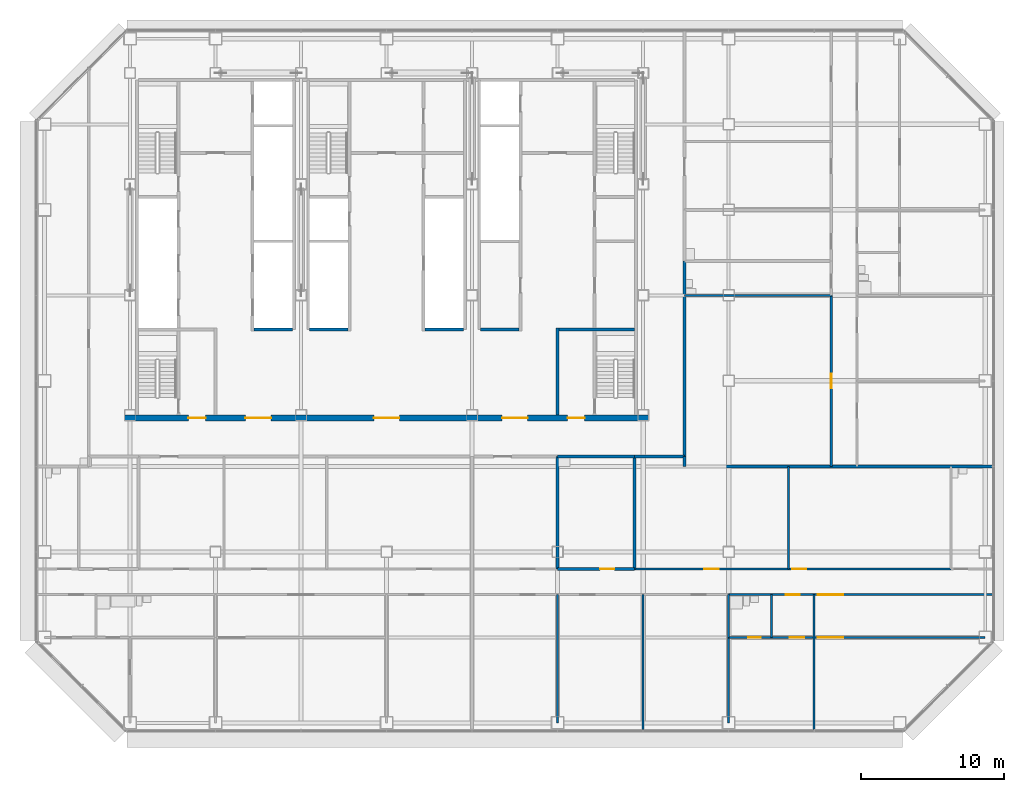
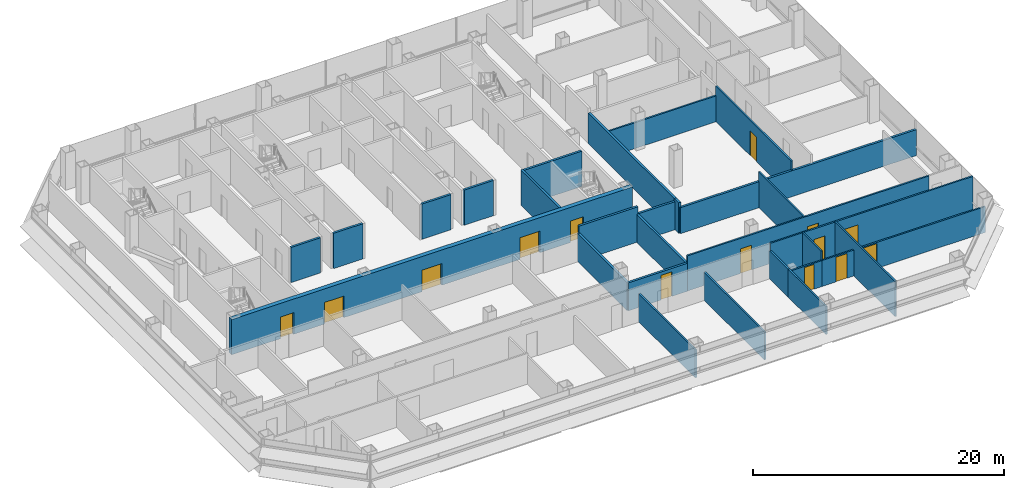
# One storey, part 21 of 27: 29 walls, 14 doors, 14 openings.
"""IFC4 building model written with IfcOpenShell, lengths in metres."""

from ifc_helpers import new_model, si_unit, direction, frame, frame_2d, origin, place, context, subcontext, project, spatial, rectangle, extrude, material, layer, layer_set, type_object, element, fill, save


model = new_model("IFC4")

# Units and contexts
model_context = context("Model", 3, precision=1e-05, world=origin(), true_north=direction((0.0, 1.0)))
body_context = subcontext(model_context, "Body", "Model", "MODEL_VIEW")
ifc_project = project(units=[si_unit("LENGTHUNIT", "METRE"), si_unit("AREAUNIT", "SQUARE_METRE"), si_unit("VOLUMEUNIT", "CUBIC_METRE"), si_unit("PLANEANGLEUNIT", "RADIAN"), si_unit("MASSUNIT", "GRAM", prefix="KILO")], contexts=[model_context])

# Site, building, storey
site_placement = place(None, origin())
site = spatial("IfcSite", under=ifc_project, at=site_placement, CompositionType="ELEMENT")
building_placement = place(site_placement, origin())
building = spatial("IfcBuilding", under=site, at=building_placement, Name="Sorahane Residences", CompositionType="ELEMENT")
storey_placement = place(building_placement, frame((0.0, 0.0, 75.0)))
storey = spatial("IfcBuildingStorey", under=building, at=storey_placement, Name="L15", CompositionType="ELEMENT", Elevation=75.0)

# Walls
ifc_material_1 = material(Name="Concrete blockwork C20 wall", Category="masonry")
ifc_layer_1 = layer(ifc_material_1, 0.199951171875)
ifc_layer_set_1 = layer_set([ifc_layer_1], Name="Corridor wall 200 EI 120")
wall_type_1 = type_object("IfcWallType", Name="Corridor wall 200 EI 120", PredefinedType="SOLIDWALL", material=ifc_layer_set_1)
wall_1_placement = place(storey_placement, frame((44.89990234375, 18.699951171875, 0.0), z_axis=(0.0, 0.0, 1.0), x_axis=(0.0, 1.0, 0.0)))
element("IfcWall", 1, at=wall_1_placement, inside=storey, type_object=wall_type_1, Name="L15 corridor wall", PredefinedType="SOLIDWALL", context=body_context, shape_type="SweptSolid", body=[
    extrude(rectangle(XDim=13.699951171875, YDim=0.199951171875, at=frame_2d((6.85009765625, 0.0))), origin(), (0.0, 0.0, 1.0), 2.969970703125),
])
wall_2_placement = place(storey_placement, frame((41.39990234375, 18.699951171875, 0.0), z_axis=(0.0, 0.0, 1.0), x_axis=(1.0, 0.0, 0.0)))
element("IfcWall", 2, at=wall_2_placement, inside=storey, type_object=wall_type_1, Name="L15 corridor wall", PredefinedType="SOLIDWALL", context=body_context, shape_type="SweptSolid", body=[
    extrude(rectangle(XDim=3.5, YDim=0.199951171875, at=frame_2d((1.75, 0.0))), origin(), (0.0, 0.0, 1.0), 2.719970703125),
])
ifc_material_2 = material(Name="Concrete C30", Category="concrete")
ifc_layer_2 = layer(ifc_material_2, 0.199951171875)
ifc_layer_set_2 = layer_set([ifc_layer_2], Name="Front room wall 200 EI 120")
wall_type_2 = type_object("IfcWallType", Name="Front room wall 200 EI 120", PredefinedType="PARTITIONING", material=ifc_layer_set_2)
wall_3_placement = place(storey_placement, frame((36.0, 21.60009765625, 0.0), z_axis=(0.0, 0.0, 1.0), x_axis=(0.0, 1.0, 0.0)))
element("IfcWall", 3, at=wall_3_placement, inside=storey, type_object=wall_type_2, Name="L15 front room wall", PredefinedType="PARTITIONING", context=body_context, shape_type="SweptSolid", body=[
    extrude(rectangle(XDim=6.099853515625, YDim=0.199951171875, at=frame_2d((3.0498046875, 0.0))), origin(), (0.0, 0.0, 1.0), 3.419921875),
])
ifc_material_3 = material(Name="Concrete blockwork C20 wall", Category="masonry")
ifc_layer_3 = layer(ifc_material_3, 0.199951171875)
ifc_layer_set_3 = layer_set([ifc_layer_3], Name="Kitchen wall 200 EI 180")
wall_type_3 = type_object("IfcWallType", Name="Kitchen wall 200 EI 180", PredefinedType="SOLIDWALL", material=ifc_layer_set_3)
for number, where, z_axis, x_axis, name in (
    (4, (36.0, 10.800048828125, 0.0), (0.0, 0.0, 1.0), (0.0, 1.0, 0.0), "L15 kitchen wall"),
    (5, (41.39990234375, 10.800048828125, 0.0), (0.0, 0.0, 1.0), (0.0, 1.0, 0.0), "L15 kitchen wall"),
):
    element("IfcWall", number, at=place(storey_placement, frame(where, z_axis=z_axis, x_axis=x_axis)), inside=storey, type_object=wall_type_3, Name=name, PredefinedType="SOLIDWALL", context=body_context, shape_type="SweptSolid", body=[
        extrude(rectangle(XDim=7.89990234375, YDim=0.199951171875, at=frame_2d((3.949951171875, 0.0))), origin(), (0.0, 0.0, 1.0), 2.719970703125),
    ])

# Wall, opening, door
wall_4_placement = place(storey_placement, frame((36.0, 10.800048828125, 0.0), z_axis=(0.0, 0.0, 1.0), x_axis=(1.0, 0.0, 0.0)))
wall_4 = element("IfcWall", 6, at=wall_4_placement, inside=storey, type_object=wall_type_3, Name="L15 kitchen wall", PredefinedType="SOLIDWALL", context=body_context, shape_type="SweptSolid", body=[
    extrude(rectangle(XDim=5.39990234375, YDim=0.199951171875, at=frame_2d((2.699951171875, 0.0))), origin(), (0.0, 0.0, 1.0), 2.719970703125),
])
opening_1_placement = place(wall_4_placement, frame((2.97998046875, 0.0, 0.0)))
opening_1 = element("IfcOpeningElement", 7, at=opening_1_placement, cuts=wall_4, Name="Opening L15-14", PredefinedType="OPENING", context=body_context, shape_type="SweptSolid", body=[
    extrude(rectangle(XDim=1.0, YDim=2.39990234375, at=frame_2d((0.5, 1.199951171875))), frame((0.0, 0.10986328125, 0.0), z_axis=(0.0, -1.0, 0.0), x_axis=(1.0, 0.0, 0.0)), (0.0, 0.0, 1.0), 0.219970703125),
])
ifc_material_4 = material(Name="Steel", Category="steel")
door_type_1 = type_object("IfcDoorType", Name="Kitchen door 1000x2400 FD120", OperationType="NOTDEFINED", PredefinedType="DOOR", material=ifc_material_4)
door_1_placement = place(opening_1_placement, origin())
door_1 = element("IfcDoor", 8, at=door_1_placement, inside=storey, type_object=door_type_1, Name="Kitchen door L15-14", OperationType="SINGLE_SWING_LEFT", OverallHeight=2.39990234375, OverallWidth=1.0, PredefinedType="DOOR", context=body_context, shape_type="SweptSolid", body=[
    extrude(rectangle(XDim=1.0, YDim=2.39990234375, at=frame_2d((0.5, 1.199951171875))), frame((0.0, 0.02490234375, 0.0), z_axis=(0.0, -1.0, 0.0), x_axis=(1.0, 0.0, 0.0)), (0.0, 0.0, 1.0), 0.050048828125),
])
fill(opening_1, door_1)

# Walls
wall_5_placement = place(storey_placement, frame((36.0, 18.699951171875, 0.0), z_axis=(0.0, 0.0, 1.0), x_axis=(1.0, 0.0, 0.0)))
element("IfcWall", 9, at=wall_5_placement, inside=storey, type_object=wall_type_3, Name="L15 kitchen wall", PredefinedType="SOLIDWALL", context=body_context, shape_type="SweptSolid", body=[
    extrude(rectangle(XDim=5.39990234375, YDim=0.199951171875, at=frame_2d((2.699951171875, 0.0))), origin(), (0.0, 0.0, 1.0), 3.419921875),
])
ifc_material_5 = material(Name="Concrete C30", Category="concrete")
ifc_layer_4 = layer(ifc_material_5, 0.199951171875)
ifc_layer_set_4 = layer_set([ifc_layer_4], Name="Lift shaft wall 200 EI 120")
wall_type_4 = type_object("IfcWallType", Name="Lift shaft wall 200 EI 120", PredefinedType="SOLIDWALL", material=ifc_layer_set_4)
for number, where, z_axis, x_axis, name in (
    (10, (14.699951171875, 27.60009765625, 0.0), (0.0, 0.0, 1.0), (1.0, 0.0, 0.0), "L15 lift shaft wall"),
    (11, (18.60009765625, 27.60009765625, 0.0), (0.0, 0.0, 1.0), (1.0, 0.0, 0.0), "L15 lift shaft wall"),
):
    element("IfcWall", number, at=place(storey_placement, frame(where, z_axis=z_axis, x_axis=x_axis)), inside=storey, type_object=wall_type_4, Name=name, PredefinedType="SOLIDWALL", context=body_context, shape_type="SweptSolid", body=[
        extrude(rectangle(XDim=2.699951171875, YDim=0.199951171875, at=frame_2d((1.35009765625, 0.0))), origin(), (0.0, 0.0, 1.0), 3.419921875),
    ])
ifc_material_6 = material(Name="Gypsum board partition on steel studs", Category="steel")
ifc_layer_5 = layer(ifc_material_6, 0.14990234375)
ifc_layer_set_5 = layer_set([ifc_layer_5], Name="Partition 150 EI 90")
wall_type_5 = type_object("IfcWallType", Name="Partition 150 EI 90", PredefinedType="PARTITIONING", material=ifc_layer_set_5)
wall_6_placement = place(storey_placement, frame((36.0, 0.0, 0.0), z_axis=(0.0, 0.0, 1.0), x_axis=(0.0, 1.0, 0.0)))
element("IfcWall", 12, at=wall_6_placement, inside=storey, type_object=wall_type_5, Name="L15 partition", PredefinedType="PARTITIONING", context=body_context, shape_type="SweptSolid", body=[
    extrude(rectangle(XDim=9.0, YDim=0.14990234375, at=frame_2d((4.5, 0.0))), origin(), (0.0, 0.0, 1.0), 2.719970703125),
])
wall_7_placement = place(storey_placement, frame((42.0, -0.60009765625, 0.0), z_axis=(0.0, 0.0, 1.0), x_axis=(0.0, 1.0, 0.0)))
element("IfcWall", 13, at=wall_7_placement, inside=storey, type_object=wall_type_5, Name="L15 partition", PredefinedType="PARTITIONING", context=body_context, shape_type="SweptSolid", body=[
    extrude(rectangle(XDim=9.60009765625, YDim=0.14990234375, at=frame_2d((4.800048828125, 0.0))), origin(), (0.0, 0.0, 1.0), 2.719970703125),
])
wall_8_placement = place(storey_placement, frame((48.0, 0.0, 0.0), z_axis=(0.0, 0.0, 1.0), x_axis=(0.0, 1.0, 0.0)))
element("IfcWall", 14, at=wall_8_placement, inside=storey, type_object=wall_type_5, Name="L15 partition", PredefinedType="PARTITIONING", context=body_context, shape_type="SweptSolid", body=[
    extrude(rectangle(XDim=6.0, YDim=0.14990234375, at=frame_2d((3.0, 0.0))), origin(), (0.0, 0.0, 1.0), 2.719970703125),
])
wall_9_placement = place(storey_placement, frame((52.199951171875, 10.800048828125, 0.0), z_axis=(0.0, 0.0, 1.0), x_axis=(0.0, 1.0, 0.0)))
element("IfcWall", 15, at=wall_9_placement, inside=storey, type_object=wall_type_5, Name="L15 partition", PredefinedType="PARTITIONING", context=body_context, shape_type="SweptSolid", body=[
    extrude(rectangle(XDim=7.199951171875, YDim=0.14990234375, at=frame_2d((3.60009765625, 0.0))), origin(), (0.0, 0.0, 1.0), 3.419921875),
])
wall_10_placement = place(storey_placement, frame((54.0, -0.60009765625, 0.0), z_axis=(0.0, 0.0, 1.0), x_axis=(0.0, 1.0, 0.0)))
element("IfcWall", 16, at=wall_10_placement, inside=storey, type_object=wall_type_5, Name="L15 partition", PredefinedType="PARTITIONING", context=body_context, shape_type="SweptSolid", body=[
    extrude(rectangle(XDim=9.60009765625, YDim=0.14990234375, at=frame_2d((4.800048828125, 0.0))), origin(), (0.0, 0.0, 1.0), 3.419921875),
])

# Wall, opening, door
wall_11_placement = place(storey_placement, frame((55.199951171875, 18.0, 0.0), z_axis=(0.0, 0.0, 1.0), x_axis=(0.0, 1.0, 0.0)))
wall_11 = element("IfcWall", 17, at=wall_11_placement, inside=storey, type_object=wall_type_5, Name="L15 partition", PredefinedType="PARTITIONING", context=body_context, shape_type="SweptSolid", body=[
    extrude(rectangle(XDim=12.0, YDim=0.14990234375, at=frame_2d((6.0, 0.0))), origin(), (0.0, 0.0, 1.0), 3.419921875),
])
opening_2_placement = place(wall_11_placement, frame((5.5, 0.0, 0.0)))
opening_2 = element("IfcOpeningElement", 18, at=opening_2_placement, cuts=wall_11, Name="Opening L15-27", PredefinedType="OPENING", context=body_context, shape_type="SweptSolid", body=[
    extrude(rectangle(XDim=1.0, YDim=2.39990234375, at=frame_2d((0.5, 1.199951171875))), frame((0.0, 0.0849609375, 0.0), z_axis=(0.0, -1.0, 0.0), x_axis=(1.0, 0.0, 0.0)), (0.0, 0.0, 1.0), 0.169921875),
])
ifc_material_7 = material(Name="Timber veneered fire door", Category="wood")
door_type_2 = type_object("IfcDoorType", Name="Room door 1000x2400 FD30", OperationType="NOTDEFINED", PredefinedType="DOOR", material=ifc_material_7)
door_2_placement = place(opening_2_placement, origin())
door_2 = element("IfcDoor", 19, at=door_2_placement, inside=storey, type_object=door_type_2, Name="Room door L15-27", OperationType="SINGLE_SWING_LEFT", OverallHeight=2.39990234375, OverallWidth=1.0, PredefinedType="DOOR", context=body_context, shape_type="SweptSolid", body=[
    extrude(rectangle(XDim=1.0, YDim=2.39990234375, at=frame_2d((0.5, 1.199951171875))), frame((0.0, 0.02490234375, 0.0), z_axis=(0.0, -1.0, 0.0), x_axis=(1.0, 0.0, 0.0)), (0.0, 0.0, 1.0), 0.050048828125),
])
fill(opening_2, door_2)

# Wall, openings, doors
wall_12_placement = place(storey_placement, frame((41.39990234375, 10.800048828125, 0.0), z_axis=(0.0, 0.0, 1.0), x_axis=(1.0, 0.0, 0.0)))
wall_12 = element("IfcWall", 20, at=wall_12_placement, inside=storey, type_object=wall_type_5, Name="L15 partition", PredefinedType="PARTITIONING", context=body_context, shape_type="SweptSolid", body=[
    extrude(rectangle(XDim=22.2001953125, YDim=0.14990234375, at=frame_2d((11.10009765625, 0.0))), origin(), (0.0, 0.0, 1.0), 3.419921875),
])
opening_3_placement = place(wall_12_placement, frame((4.89990234375, 0.0, 0.0)))
opening_3 = element("IfcOpeningElement", 21, at=opening_3_placement, cuts=wall_12, Name="Opening L15-15", PredefinedType="OPENING", context=body_context, shape_type="SweptSolid", body=[
    extrude(rectangle(XDim=1.0, YDim=2.39990234375, at=frame_2d((0.5, 1.199951171875))), frame((0.0, 0.0849609375, 0.0), z_axis=(0.0, -1.0, 0.0), x_axis=(1.0, 0.0, 0.0)), (0.0, 0.0, 1.0), 0.169921875),
])
opening_4_placement = place(wall_12_placement, frame((11.050048828125, 0.0, 0.0)))
opening_4 = element("IfcOpeningElement", 22, at=opening_4_placement, cuts=wall_12, Name="Opening L15-16", PredefinedType="OPENING", context=body_context, shape_type="SweptSolid", body=[
    extrude(rectangle(XDim=1.0, YDim=2.39990234375, at=frame_2d((0.5, 1.199951171875))), frame((0.0, 0.0849609375, 0.0), z_axis=(0.0, -1.0, 0.0), x_axis=(1.0, 0.0, 0.0)), (0.0, 0.0, 1.0), 0.169921875),
])
door_3_placement = place(opening_3_placement, origin())
door_3 = element("IfcDoor", 23, at=door_3_placement, inside=storey, type_object=door_type_2, Name="Room door L15-15", OperationType="SINGLE_SWING_LEFT", OverallHeight=2.39990234375, OverallWidth=1.0, PredefinedType="DOOR", context=body_context, shape_type="SweptSolid", body=[
    extrude(rectangle(XDim=1.0, YDim=2.39990234375, at=frame_2d((0.5, 1.199951171875))), frame((0.0, 0.02490234375, 0.0), z_axis=(0.0, -1.0, 0.0), x_axis=(1.0, 0.0, 0.0)), (0.0, 0.0, 1.0), 0.050048828125),
])
fill(opening_3, door_3)
door_4_placement = place(opening_4_placement, origin())
door_4 = element("IfcDoor", 24, at=door_4_placement, inside=storey, type_object=door_type_2, Name="Room door L15-16", OperationType="SINGLE_SWING_LEFT", OverallHeight=2.39990234375, OverallWidth=1.0, PredefinedType="DOOR", context=body_context, shape_type="SweptSolid", body=[
    extrude(rectangle(XDim=1.0, YDim=2.39990234375, at=frame_2d((0.5, 1.199951171875))), frame((0.0, 0.02490234375, 0.0), z_axis=(0.0, -1.0, 0.0), x_axis=(1.0, 0.0, 0.0)), (0.0, 0.0, 1.0), 0.050048828125),
])
fill(opening_4, door_4)

wall_13_placement = place(storey_placement, frame((51.0, 6.0, 0.0), z_axis=(0.0, 0.0, 1.0), x_axis=(1.0, 0.0, 0.0)))
wall_13 = element("IfcWall", 25, at=wall_13_placement, inside=storey, type_object=wall_type_5, Name="L15 partition", PredefinedType="PARTITIONING", context=body_context, shape_type="SweptSolid", body=[
    extrude(rectangle(XDim=15.0, YDim=0.14990234375, at=frame_2d((7.5, 0.0))), origin(), (0.0, 0.0, 1.0), 2.52001953125),
])
opening_5_placement = place(wall_13_placement, frame((1.300048828125, 0.0, 0.0)))
opening_5 = element("IfcOpeningElement", 26, at=opening_5_placement, cuts=wall_13, Name="Opening L15-23", PredefinedType="OPENING", context=body_context, shape_type="SweptSolid", body=[
    extrude(rectangle(XDim=1.0, YDim=2.39990234375, at=frame_2d((0.5, 1.199951171875))), frame((0.0, 0.0849609375, 0.0), z_axis=(0.0, -1.0, 0.0), x_axis=(1.0, 0.0, 0.0)), (0.0, 0.0, 1.0), 0.169921875),
])
opening_6_placement = place(wall_13_placement, frame((3.25, 0.0, 0.0)))
opening_6 = element("IfcOpeningElement", 27, at=opening_6_placement, cuts=wall_13, Name="Opening L15-25", PredefinedType="OPENING", context=body_context, shape_type="SweptSolid", body=[
    extrude(rectangle(XDim=1.800048828125, YDim=2.39990234375, at=frame_2d((0.89990234375, 1.199951171875))), frame((0.0, 0.0849609375, 0.0), z_axis=(0.0, -1.0, 0.0), x_axis=(1.0, 0.0, 0.0)), (0.0, 0.0, 1.0), 0.169921875),
])
ifc_material_8 = material(Name="Timber veneered fire door", Category="wood")
door_type_3 = type_object("IfcDoorType", Name="Double door 1800x2400 FD30", OperationType="NOTDEFINED", PredefinedType="DOOR", material=ifc_material_8)
door_5_placement = place(opening_6_placement, frame((1.800048828125, 0.0, 0.0), z_axis=(0.0, 0.0, 1.0), x_axis=(-1.0, 0.0, 0.0)))
door_5 = element("IfcDoor", 28, at=door_5_placement, inside=storey, type_object=door_type_3, Name="Double door L15-25", OperationType="SINGLE_SWING_LEFT", OverallHeight=2.39990234375, OverallWidth=1.800048828125, PredefinedType="DOOR", context=body_context, shape_type="SweptSolid", body=[
    extrude(rectangle(XDim=1.800048828125, YDim=2.39990234375, at=frame_2d((0.89990234375, 1.199951171875))), frame((0.0, 0.02490234375, 0.0), z_axis=(0.0, -1.0, 0.0), x_axis=(1.0, 0.0, 0.0)), (0.0, 0.0, 1.0), 0.050048828125),
])
fill(opening_6, door_5)
door_6_placement = place(opening_5_placement, frame((1.0, 0.0, 0.0), z_axis=(0.0, 0.0, 1.0), x_axis=(-1.0, 0.0, 0.0)))
door_6 = element("IfcDoor", 29, at=door_6_placement, inside=storey, type_object=door_type_2, Name="Room door L15-23", OperationType="SINGLE_SWING_RIGHT", OverallHeight=2.39990234375, OverallWidth=1.0, PredefinedType="DOOR", context=body_context, shape_type="SweptSolid", body=[
    extrude(rectangle(XDim=1.0, YDim=2.39990234375, at=frame_2d((0.5, 1.199951171875))), frame((0.0, 0.02490234375, 0.0), z_axis=(0.0, -1.0, 0.0), x_axis=(1.0, 0.0, 0.0)), (0.0, 0.0, 1.0), 0.050048828125),
])
fill(opening_5, door_6)

wall_14_placement = place(storey_placement, frame((51.0, 9.0, 0.0), z_axis=(0.0, 0.0, 1.0), x_axis=(1.0, 0.0, 0.0)))
wall_14 = element("IfcWall", 30, at=wall_14_placement, inside=storey, type_object=wall_type_5, Name="L15 partition", PredefinedType="PARTITIONING", context=body_context, shape_type="SweptSolid", body=[
    extrude(rectangle(XDim=15.60009765625, YDim=0.14990234375, at=frame_2d((7.800048828125, 0.0))), origin(), (0.0, 0.0, 1.0), 3.419921875),
])
opening_7_placement = place(wall_14_placement, frame((1.0, 0.0, 0.0)))
opening_7 = element("IfcOpeningElement", 31, at=opening_7_placement, cuts=wall_14, Name="Opening L15-21", PredefinedType="OPENING", context=body_context, shape_type="SweptSolid", body=[
    extrude(rectangle(XDim=1.0, YDim=2.39990234375, at=frame_2d((0.5, 1.199951171875))), frame((0.0, 0.0849609375, 0.0), z_axis=(0.0, -1.0, 0.0), x_axis=(1.0, 0.0, 0.0)), (0.0, 0.0, 1.0), 0.169921875),
])
opening_8_placement = place(wall_14_placement, frame((3.25, 0.0, 0.0)))
opening_8 = element("IfcOpeningElement", 32, at=opening_8_placement, cuts=wall_14, Name="Opening L15-22", PredefinedType="OPENING", context=body_context, shape_type="SweptSolid", body=[
    extrude(rectangle(XDim=1.800048828125, YDim=2.39990234375, at=frame_2d((0.89990234375, 1.199951171875))), frame((0.0, 0.0849609375, 0.0), z_axis=(0.0, -1.0, 0.0), x_axis=(1.0, 0.0, 0.0)), (0.0, 0.0, 1.0), 0.169921875),
])
door_7_placement = place(opening_8_placement, frame((1.800048828125, 0.0, 0.0), z_axis=(0.0, 0.0, 1.0), x_axis=(-1.0, 0.0, 0.0)))
door_7 = element("IfcDoor", 33, at=door_7_placement, inside=storey, type_object=door_type_3, Name="Double door L15-22", OperationType="SINGLE_SWING_LEFT", OverallHeight=2.39990234375, OverallWidth=1.800048828125, PredefinedType="DOOR", context=body_context, shape_type="SweptSolid", body=[
    extrude(rectangle(XDim=1.800048828125, YDim=2.39990234375, at=frame_2d((0.89990234375, 1.199951171875))), frame((0.0, 0.02490234375, 0.0), z_axis=(0.0, -1.0, 0.0), x_axis=(1.0, 0.0, 0.0)), (0.0, 0.0, 1.0), 0.050048828125),
])
fill(opening_8, door_7)
door_8_placement = place(opening_7_placement, frame((1.0, 0.0, 0.0), z_axis=(0.0, 0.0, 1.0), x_axis=(-1.0, 0.0, 0.0)))
door_8 = element("IfcDoor", 34, at=door_8_placement, inside=storey, type_object=door_type_2, Name="Room door L15-21", OperationType="SINGLE_SWING_LEFT", OverallHeight=2.39990234375, OverallWidth=1.0, PredefinedType="DOOR", context=body_context, shape_type="SweptSolid", body=[
    extrude(rectangle(XDim=1.0, YDim=2.39990234375, at=frame_2d((0.5, 1.199951171875))), frame((0.0, 0.02490234375, 0.0), z_axis=(0.0, -1.0, 0.0), x_axis=(1.0, 0.0, 0.0)), (0.0, 0.0, 1.0), 0.050048828125),
])
fill(opening_7, door_8)

# Walls
ifc_material_9 = material(Name="Concrete blockwork C20 wall", Category="masonry")
ifc_layer_6 = layer(ifc_material_9, 0.199951171875)
ifc_layer_set_6 = layer_set([ifc_layer_6], Name="Party wall 200 EI 120")
wall_type_6 = type_object("IfcWallType", Name="Party wall 200 EI 120", PredefinedType="SOLIDWALL", material=ifc_layer_set_6)
wall_15_placement = place(storey_placement, frame((44.89990234375, 18.0, 0.0), z_axis=(0.0, 0.0, 1.0), x_axis=(0.0, 1.0, 0.0)))
element("IfcWall", 35, at=wall_15_placement, inside=storey, type_object=wall_type_6, Name="L15 party wall", PredefinedType="SOLIDWALL", context=body_context, shape_type="SweptSolid", body=[
    extrude(rectangle(XDim=0.699951171875, YDim=0.199951171875, at=frame_2d((0.35009765625, 0.0))), origin(), (0.0, 0.0, 1.0), 2.969970703125),
])
wall_16_placement = place(storey_placement, frame((44.89990234375, 18.0, 0.0), z_axis=(0.0, 0.0, 1.0), x_axis=(1.0, 0.0, 0.0)))
element("IfcWall", 36, at=wall_16_placement, inside=storey, type_object=wall_type_6, Name="L15 party wall", PredefinedType="SOLIDWALL", context=body_context, shape_type="SweptSolid", body=[
    extrude(rectangle(XDim=21.7001953125, YDim=0.199951171875, at=frame_2d((10.85009765625, 0.0))), origin(), (0.0, 0.0, 1.0), 2.52001953125),
])
ifc_material_10 = material(Name="Concrete C30", Category="concrete")
ifc_layer_7 = layer(ifc_material_10, 0.199951171875)
ifc_layer_set_7 = layer_set([ifc_layer_7], Name="Riser shaft wall 200 EI 120")
wall_type_7 = type_object("IfcWallType", Name="Riser shaft wall 200 EI 120", PredefinedType="SOLIDWALL", material=ifc_layer_set_7)
wall_17_placement = place(storey_placement, frame((26.699951171875, 27.60009765625, 0.0), z_axis=(0.0, 0.0, 1.0), x_axis=(1.0, 0.0, 0.0)))
element("IfcWall", 37, at=wall_17_placement, inside=storey, type_object=wall_type_7, Name="L15 riser wall", PredefinedType="SOLIDWALL", context=body_context, shape_type="SweptSolid", body=[
    extrude(rectangle(XDim=2.699951171875, YDim=0.199951171875, at=frame_2d((1.35009765625, 0.0))), origin(), (0.0, 0.0, 1.0), 3.419921875),
])
ifc_material_11 = material(Name="Concrete C30", Category="concrete")
ifc_layer_8 = layer(ifc_material_11, 0.199951171875)
ifc_layer_set_8 = layer_set([ifc_layer_8], Name="Service room partition 200 EI 60")
wall_type_8 = type_object("IfcWallType", Name="Service room partition 200 EI 60", PredefinedType="PARTITIONING", material=ifc_layer_set_8)
wall_18_placement = place(storey_placement, frame((30.60009765625, 27.60009765625, 0.0), z_axis=(0.0, 0.0, 1.0), x_axis=(1.0, 0.0, 0.0)))
element("IfcWall", 38, at=wall_18_placement, inside=storey, type_object=wall_type_8, Name="L15 service room wall", PredefinedType="PARTITIONING", context=body_context, shape_type="SweptSolid", body=[
    extrude(rectangle(XDim=2.699951171875, YDim=0.199951171875, at=frame_2d((1.35009765625, 0.0))), origin(), (0.0, 0.0, 1.0), 3.419921875),
])
ifc_material_12 = material(Name="Concrete C30", Category="concrete")
ifc_layer_9 = layer(ifc_material_12, 0.199951171875)
ifc_layer_set_9 = layer_set([ifc_layer_9], Name="Stair enclosure wall 200 EI 120")
wall_type_9 = type_object("IfcWallType", Name="Stair enclosure wall 200 EI 120", PredefinedType="SOLIDWALL", material=ifc_layer_set_9)
wall_19_placement = place(storey_placement, frame((36.10009765625, 27.60009765625, 0.0), z_axis=(0.0, 0.0, 1.0), x_axis=(1.0, 0.0, 0.0)))
element("IfcWall", 39, at=wall_19_placement, inside=storey, type_object=wall_type_9, Name="L15 stair enclosure wall", PredefinedType="SOLIDWALL", context=body_context, shape_type="SweptSolid", body=[
    extrude(rectangle(XDim=5.2998046875, YDim=0.199951171875, at=frame_2d((2.64990234375, 0.0))), origin(), (0.0, 0.0, 1.0), 3.419921875),
])

# Wall, openings, doors
ifc_material_13 = material(Name="Concrete C30", Category="concrete")
ifc_layer_10 = layer(ifc_material_13, 0.39990234375)
ifc_layer_set_10 = layer_set([ifc_layer_10], Name="Waiting hall wall 400 EI 120")
wall_type_10 = type_object("IfcWallType", Name="Waiting hall wall 400 EI 120", PredefinedType="SOLIDWALL", material=ifc_layer_set_10)
wall_20_placement = place(storey_placement, frame((5.60009765625, 21.39990234375, 0.0), z_axis=(0.0, 0.0, 1.0), x_axis=(1.0, 0.0, 0.0)))
wall_20 = element("IfcWall", 40, at=wall_20_placement, inside=storey, type_object=wall_type_10, Name="L15 waiting hall wall", PredefinedType="SOLIDWALL", context=body_context, shape_type="SweptSolid", body=[
    extrude(rectangle(XDim=36.7998046875, YDim=0.39990234375, at=frame_2d((18.39990234375, 0.0))), origin(), (0.0, 0.0, 1.0), 3.419921875),
])
opening_9_placement = place(wall_20_placement, frame((8.5, 0.0, 0.0)))
opening_9 = element("IfcOpeningElement", 41, at=opening_9_placement, cuts=wall_20, Name="Opening L15-C01", PredefinedType="OPENING", context=body_context, shape_type="SweptSolid", body=[
    extrude(rectangle(XDim=1.800048828125, YDim=2.10009765625, at=frame_2d((0.89990234375, 1.050048828125))), frame((0.0, 0.2099609375, 0.0), z_axis=(0.0, -1.0, 0.0), x_axis=(1.0, 0.0, 0.0)), (0.0, 0.0, 1.0), 0.419921875),
])
opening_10_placement = place(wall_20_placement, frame((17.5, 0.0, 0.0)))
opening_10 = element("IfcOpeningElement", 42, at=opening_10_placement, cuts=wall_20, Name="Opening L15-C02", PredefinedType="OPENING", context=body_context, shape_type="SweptSolid", body=[
    extrude(rectangle(XDim=1.800048828125, YDim=2.10009765625, at=frame_2d((0.89990234375, 1.050048828125))), frame((0.0, 0.2099609375, 0.0), z_axis=(0.0, -1.0, 0.0), x_axis=(1.0, 0.0, 0.0)), (0.0, 0.0, 1.0), 0.419921875),
])
opening_11_placement = place(wall_20_placement, frame((26.5, 0.0, 0.0)))
opening_11 = element("IfcOpeningElement", 43, at=opening_11_placement, cuts=wall_20, Name="Opening L15-C03", PredefinedType="OPENING", context=body_context, shape_type="SweptSolid", body=[
    extrude(rectangle(XDim=1.800048828125, YDim=2.10009765625, at=frame_2d((0.89990234375, 1.050048828125))), frame((0.0, 0.2099609375, 0.0), z_axis=(0.0, -1.0, 0.0), x_axis=(1.0, 0.0, 0.0)), (0.0, 0.0, 1.0), 0.419921875),
])
opening_12_placement = place(wall_20_placement, frame((4.5, 0.0, 0.0)))
opening_12 = element("IfcOpeningElement", 44, at=opening_12_placement, cuts=wall_20, Name="Opening L15-C04", PredefinedType="OPENING", context=body_context, shape_type="SweptSolid", body=[
    extrude(rectangle(XDim=1.199951171875, YDim=2.10009765625, at=frame_2d((0.60009765625, 1.050048828125))), frame((0.0, 0.2099609375, 0.0), z_axis=(0.0, -1.0, 0.0), x_axis=(1.0, 0.0, 0.0)), (0.0, 0.0, 1.0), 0.419921875),
])
opening_13_placement = place(wall_20_placement, frame((31.10009765625, 0.0, 0.0)))
opening_13 = element("IfcOpeningElement", 45, at=opening_13_placement, cuts=wall_20, Name="Opening L15-C05", PredefinedType="OPENING", context=body_context, shape_type="SweptSolid", body=[
    extrude(rectangle(XDim=1.199951171875, YDim=2.10009765625, at=frame_2d((0.60009765625, 1.050048828125))), frame((0.0, 0.2099609375, 0.0), z_axis=(0.0, -1.0, 0.0), x_axis=(1.0, 0.0, 0.0)), (0.0, 0.0, 1.0), 0.419921875),
])
ifc_material_14 = material(Name="Steel", Category="steel")
door_type_4 = type_object("IfcDoorType", Name="Stair front room door 1200x2100 FD120", OperationType="NOTDEFINED", PredefinedType="DOOR", material=ifc_material_14)
door_9_placement = place(opening_12_placement, frame((1.199951171875, 0.0, 0.0), z_axis=(0.0, 0.0, 1.0), x_axis=(-1.0, 0.0, 0.0)))
door_9 = element("IfcDoor", 46, at=door_9_placement, inside=storey, type_object=door_type_4, Name="Stair front room door Stair S4 front room L15", OperationType="SINGLE_SWING_LEFT", OverallHeight=2.10009765625, OverallWidth=1.199951171875, PredefinedType="DOOR", context=body_context, shape_type="SweptSolid", body=[
    extrude(rectangle(XDim=1.199951171875, YDim=2.10009765625, at=frame_2d((0.60009765625, 1.050048828125))), frame((0.0, 0.02490234375, 0.0), z_axis=(0.0, -1.0, 0.0), x_axis=(1.0, 0.0, 0.0)), (0.0, 0.0, 1.0), 0.050048828125),
])
fill(opening_12, door_9)
door_10_placement = place(opening_13_placement, frame((1.199951171875, 0.0, 0.0), z_axis=(0.0, 0.0, 1.0), x_axis=(-1.0, 0.0, 0.0)))
door_10 = element("IfcDoor", 47, at=door_10_placement, inside=storey, type_object=door_type_4, Name="Stair front room door Stair S5 front room L15", OperationType="SINGLE_SWING_LEFT", OverallHeight=2.10009765625, OverallWidth=1.199951171875, PredefinedType="DOOR", context=body_context, shape_type="SweptSolid", body=[
    extrude(rectangle(XDim=1.199951171875, YDim=2.10009765625, at=frame_2d((0.60009765625, 1.050048828125))), frame((0.0, 0.02490234375, 0.0), z_axis=(0.0, -1.0, 0.0), x_axis=(1.0, 0.0, 0.0)), (0.0, 0.0, 1.0), 0.050048828125),
])
fill(opening_13, door_10)
ifc_material_15 = material(Name="Steel", Category="steel")
door_type_5 = type_object("IfcDoorType", Name="Waiting hall door 1800x2100 FD60", OperationType="NOTDEFINED", PredefinedType="DOOR", material=ifc_material_15)
door_11_placement = place(opening_9_placement, frame((1.800048828125, 0.0, 0.0), z_axis=(0.0, 0.0, 1.0), x_axis=(-1.0, 0.0, 0.0)))
door_11 = element("IfcDoor", 48, at=door_11_placement, inside=storey, type_object=door_type_5, Name="Waiting hall door Residents' waiting hall L15", OperationType="SINGLE_SWING_LEFT", OverallHeight=2.10009765625, OverallWidth=1.800048828125, PredefinedType="DOOR", context=body_context, shape_type="SweptSolid", body=[
    extrude(rectangle(XDim=1.800048828125, YDim=2.10009765625, at=frame_2d((0.89990234375, 1.050048828125))), frame((0.0, 0.02490234375, 0.0), z_axis=(0.0, -1.0, 0.0), x_axis=(1.0, 0.0, 0.0)), (0.0, 0.0, 1.0), 0.050048828125),
])
fill(opening_9, door_11)
door_12_placement = place(opening_10_placement, frame((1.800048828125, 0.0, 0.0), z_axis=(0.0, 0.0, 1.0), x_axis=(-1.0, 0.0, 0.0)))
door_12 = element("IfcDoor", 49, at=door_12_placement, inside=storey, type_object=door_type_5, Name="Waiting hall door Residents' waiting hall L15", OperationType="SINGLE_SWING_LEFT", OverallHeight=2.10009765625, OverallWidth=1.800048828125, PredefinedType="DOOR", context=body_context, shape_type="SweptSolid", body=[
    extrude(rectangle(XDim=1.800048828125, YDim=2.10009765625, at=frame_2d((0.89990234375, 1.050048828125))), frame((0.0, 0.02490234375, 0.0), z_axis=(0.0, -1.0, 0.0), x_axis=(1.0, 0.0, 0.0)), (0.0, 0.0, 1.0), 0.050048828125),
])
fill(opening_10, door_12)
door_13_placement = place(opening_11_placement, frame((1.800048828125, 0.0, 0.0), z_axis=(0.0, 0.0, 1.0), x_axis=(-1.0, 0.0, 0.0)))
door_13 = element("IfcDoor", 50, at=door_13_placement, inside=storey, type_object=door_type_5, Name="Waiting hall door Residents' waiting hall L15", OperationType="SINGLE_SWING_LEFT", OverallHeight=2.10009765625, OverallWidth=1.800048828125, PredefinedType="DOOR", context=body_context, shape_type="SweptSolid", body=[
    extrude(rectangle(XDim=1.800048828125, YDim=2.10009765625, at=frame_2d((0.89990234375, 1.050048828125))), frame((0.0, 0.02490234375, 0.0), z_axis=(0.0, -1.0, 0.0), x_axis=(1.0, 0.0, 0.0)), (0.0, 0.0, 1.0), 0.050048828125),
])
fill(opening_11, door_13)

# Walls
ifc_material_16 = material(Name="Gypsum board partition on steel studs", Category="steel")
ifc_layer_11 = layer(ifc_material_16, 0.14990234375)
ifc_layer_set_11 = layer_set([ifc_layer_11], Name="Wet wall 150 EI 90")
wall_type_11 = type_object("IfcWallType", Name="Wet wall 150 EI 90", PredefinedType="PARTITIONING", material=ifc_layer_set_11)
wall_21_placement = place(storey_placement, frame((48.0, 6.0, 0.0), z_axis=(0.0, 0.0, 1.0), x_axis=(0.0, 1.0, 0.0)))
element("IfcWall", 51, at=wall_21_placement, inside=storey, type_object=wall_type_11, Name="L15 wet wall", PredefinedType="PARTITIONING", context=body_context, shape_type="SweptSolid", body=[
    extrude(rectangle(XDim=3.0, YDim=0.14990234375, at=frame_2d((1.5, 0.0))), origin(), (0.0, 0.0, 1.0), 2.719970703125),
])
wall_22_placement = place(storey_placement, frame((51.0, 6.0, 0.0), z_axis=(0.0, 0.0, 1.0), x_axis=(0.0, 1.0, 0.0)))
element("IfcWall", 52, at=wall_22_placement, inside=storey, type_object=wall_type_11, Name="L15 wet wall", PredefinedType="PARTITIONING", context=body_context, shape_type="SweptSolid", body=[
    extrude(rectangle(XDim=3.0, YDim=0.14990234375, at=frame_2d((1.5, 0.0))), origin(), (0.0, 0.0, 1.0), 3.419921875),
])
wall_23_placement = place(storey_placement, frame((44.89990234375, 30.0, 0.0), z_axis=(0.0, 0.0, 1.0), x_axis=(1.0, 0.0, 0.0)))
element("IfcWall", 53, at=wall_23_placement, inside=storey, type_object=wall_type_11, Name="L15 wet wall", PredefinedType="PARTITIONING", context=body_context, shape_type="SweptSolid", body=[
    extrude(rectangle(XDim=10.300048828125, YDim=0.14990234375, at=frame_2d((5.14990234375, 0.0))), origin(), (0.0, 0.0, 1.0), 2.52001953125),
])

# Wall, opening, door
wall_24_placement = place(storey_placement, frame((48.0, 6.0, 0.0), z_axis=(0.0, 0.0, 1.0), x_axis=(1.0, 0.0, 0.0)))
wall_24 = element("IfcWall", 54, at=wall_24_placement, inside=storey, type_object=wall_type_11, Name="L15 wet wall", PredefinedType="PARTITIONING", context=body_context, shape_type="SweptSolid", body=[
    extrude(rectangle(XDim=3.0, YDim=0.14990234375, at=frame_2d((1.5, 0.0))), origin(), (0.0, 0.0, 1.0), 2.52001953125),
])
opening_14_placement = place(wall_24_placement, frame((1.3701171875, 0.0, 0.0)))
opening_14 = element("IfcOpeningElement", 55, at=opening_14_placement, cuts=wall_24, Name="Opening L15-24", PredefinedType="OPENING", context=body_context, shape_type="SweptSolid", body=[
    extrude(rectangle(XDim=0.89990234375, YDim=2.39990234375, at=frame_2d((0.449951171875, 1.199951171875))), frame((0.0, 0.0849609375, 0.0), z_axis=(0.0, -1.0, 0.0), x_axis=(1.0, 0.0, 0.0)), (0.0, 0.0, 1.0), 0.169921875),
])
ifc_material_17 = material(Name="Timber veneered fire door", Category="wood")
door_type_6 = type_object("IfcDoorType", Name="Bathroom door 900x2400 FD30", OperationType="NOTDEFINED", PredefinedType="DOOR", material=ifc_material_17)
door_14_placement = place(opening_14_placement, frame((0.89990234375, 0.0, 0.0), z_axis=(0.0, 0.0, 1.0), x_axis=(-1.0, 0.0, 0.0)))
door_14 = element("IfcDoor", 56, at=door_14_placement, inside=storey, type_object=door_type_6, Name="Bathroom door L15-24", OperationType="SINGLE_SWING_LEFT", OverallHeight=2.39990234375, OverallWidth=0.89990234375, PredefinedType="DOOR", context=body_context, shape_type="SweptSolid", body=[
    extrude(rectangle(XDim=0.89990234375, YDim=2.39990234375, at=frame_2d((0.449951171875, 1.199951171875))), frame((0.0, 0.02490234375, 0.0), z_axis=(0.0, -1.0, 0.0), x_axis=(1.0, 0.0, 0.0)), (0.0, 0.0, 1.0), 0.050048828125),
])
fill(opening_14, door_14)

# Wall
wall_25_placement = place(storey_placement, frame((48.0, 9.0, 0.0), z_axis=(0.0, 0.0, 1.0), x_axis=(1.0, 0.0, 0.0)))
element("IfcWall", 57, at=wall_25_placement, inside=storey, type_object=wall_type_11, Name="L15 wet wall", PredefinedType="PARTITIONING", context=body_context, shape_type="SweptSolid", body=[
    extrude(rectangle(XDim=3.0, YDim=0.14990234375, at=frame_2d((1.5, 0.0))), origin(), (0.0, 0.0, 1.0), 3.419921875),
])

save(model, "model.ifc")
